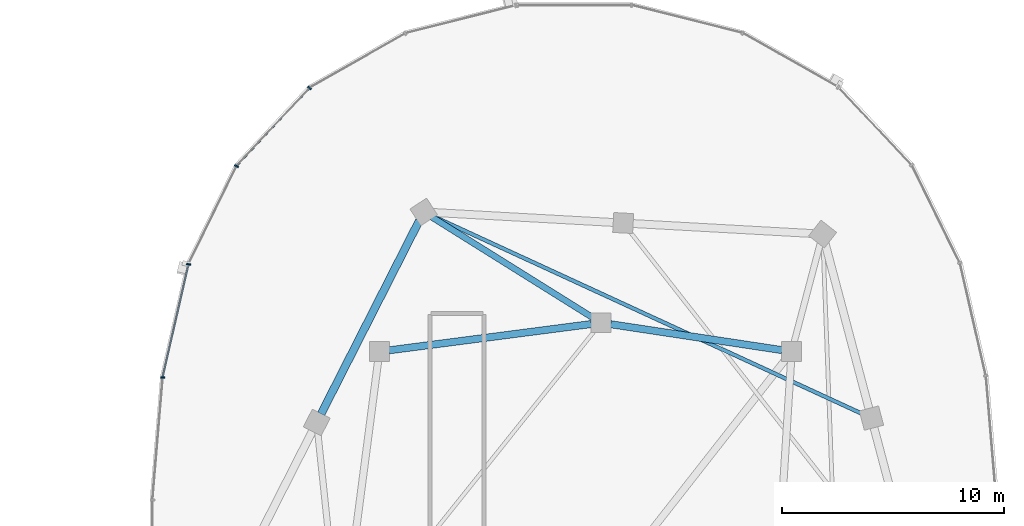
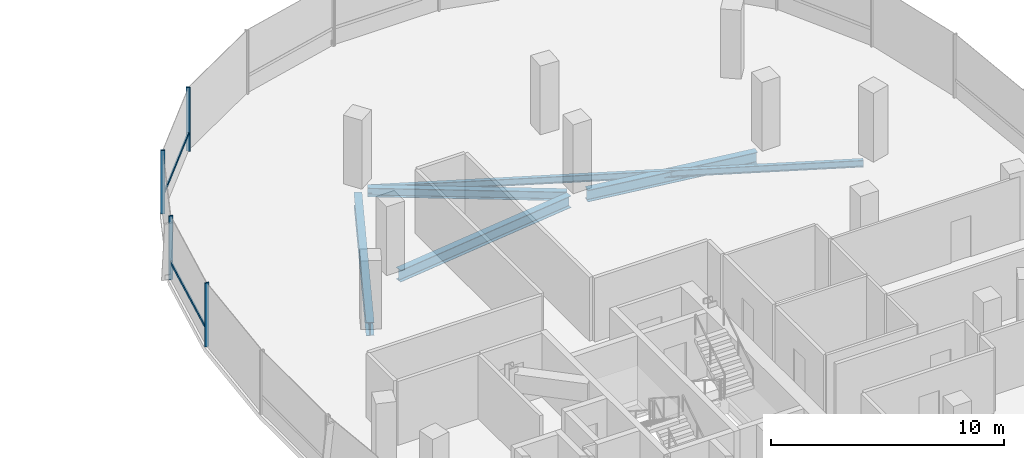
# One storey, part 11 of 25: 6 members, 5 beams, 1 element without a shape of its own.
"""IFC4 building model written with IfcOpenShell, lengths in metres."""

from ifc_helpers import new_model, si_unit, direction, frame, origin, origin_2d, place, context, subcontext, project, spatial, rectangle, i_section, extrude, material, material_profile, profile_set, type_object, element, aggregate, save


model = new_model("IFC4")

# Units and contexts
model_context = context("Model", 3, precision=1e-05, world=origin(), true_north=direction((0.0, 1.0)))
body_context = subcontext(model_context, "Body", "Model", "MODEL_VIEW")
ifc_project = project(units=[si_unit("LENGTHUNIT", "METRE"), si_unit("AREAUNIT", "SQUARE_METRE"), si_unit("VOLUMEUNIT", "CUBIC_METRE"), si_unit("PLANEANGLEUNIT", "RADIAN"), si_unit("MASSUNIT", "GRAM", prefix="KILO"), si_unit("THERMODYNAMICTEMPERATUREUNIT", "KELVIN"), si_unit("POWERUNIT", "WATT")], contexts=[model_context])

# Site, building, storey
site_placement = place(None, origin())
site = spatial("IfcSite", under=ifc_project, at=site_placement, CompositionType="ELEMENT")
building_placement = place(site_placement, origin())
building = spatial("IfcBuilding", under=site, at=building_placement, Name="Cundina Bronze Exchange", CompositionType="ELEMENT")
storey_placement = place(building_placement, frame((0.0, 0.0, 199.0)))
storey = spatial("IfcBuildingStorey", under=building, at=storey_placement, Name="L52", CompositionType="ELEMENT", Elevation=199.0)

# Beams
ifc_material_1 = material(Name="Steel ASTM A992 Grade 50", Category="steel")
ifc_material_profile_1 = material_profile(ifc_material_1, i_section(OverallWidth=0.280029296875, OverallDepth=0.462890625, WebThickness=0.0107421875, FlangeThickness=0.017333984375, FilletRadius=0.011962890625, at=origin_2d()), Name="W18X76", Category="steel")
ifc_profile_set_1 = profile_set([ifc_material_profile_1], Name="Steel ASTM A992 Grade 50")
beam_type_1 = type_object("IfcBeamType", Name="BM-FLR-W18A", PredefinedType="BEAM", material=ifc_profile_set_1)
beam_1_placement = place(storey_placement, frame((32.82861328125, 11.031982421875, -0.491455078125), z_axis=(-0.847995098703, 0.530004068452, 0.0), x_axis=(-0.530004068452, -0.847995098703, 0.0)))
element("IfcBeam", 1, at=beam_1_placement, inside=storey, type_object=beam_type_1, Name="L52 Leg E Chordal Floor Beam 12", PredefinedType="BEAM", context=body_context, shape_type="SweptSolid", body=[
    extrude(i_section(OverallWidth=0.280029296875, OverallDepth=0.462890625, WebThickness=0.0107421875, FlangeThickness=0.017333984375, FilletRadius=0.011962890625, at=origin_2d()), origin(), (0.0, 0.0, 1.0), 8.55810546875),
])
ifc_material_profile_2 = material_profile(ifc_material_1, i_section(OverallWidth=0.172119140625, OverallDepth=0.35791015625, WebThickness=0.0078125, FlangeThickness=0.01318359375, FilletRadius=0.010009765625, at=origin_2d()), Name="W14X38", Category="steel")
ifc_profile_set_2 = profile_set([ifc_material_profile_2], Name="Steel ASTM A992 Grade 50")
beam_type_2 = type_object("IfcBeamType", Name="BM-JST-W14", PredefinedType="JOIST", material=ifc_profile_set_2)
beam_2_placement = place(storey_placement, frame((45.002197265625, 6.68310546875, -0.43896484375), z_axis=(-0.908355026127, 0.418199888224, 0.0), x_axis=(-0.418199888224, -0.908355026127, 0.0)))
element("IfcBeam", 2, at=beam_2_placement, inside=storey, type_object=beam_type_2, Name="L52 Leg E Lobe Floor Joist 09-12", PredefinedType="JOIST", context=body_context, shape_type="SweptSolid", body=[
    extrude(i_section(OverallWidth=0.172119140625, OverallDepth=0.35791015625, WebThickness=0.0078125, FlangeThickness=0.01318359375, FilletRadius=0.010009765625, at=origin_2d()), origin(), (0.0, 0.0, 1.0), 21.362060546875),
])
ifc_material_profile_3 = material_profile(ifc_material_1, i_section(OverallWidth=0.324951171875, OverallDepth=0.615966796875, WebThickness=0.013916015625, FlangeThickness=0.021484375, FilletRadius=0.01611328125, at=origin_2d()), Name="W24X117", Category="steel")
ifc_profile_set_3 = profile_set([ifc_material_profile_3], Name="Steel ASTM A992 Grade 50")
beam_type_3 = type_object("IfcBeamType", Name="BM-RING-W24", PredefinedType="USERDEFINED", material=ifc_profile_set_3)
beam_3_placement = place(storey_placement, frame((41.366943359375, 9.5654296875, -0.568115234375), z_axis=(-0.988764903598, 0.149478979839, 0.0), x_axis=(-0.149478979839, -0.988764903598, 0.0)))
element("IfcBeam", 3, at=beam_3_placement, inside=storey, type_object=beam_type_3, Name="L52 E Inner Structural Ring Girder 05", ObjectType="GIRDER", PredefinedType="USERDEFINED", context=body_context, shape_type="SweptSolid", body=[
    extrude(i_section(OverallWidth=0.324951171875, OverallDepth=0.615966796875, WebThickness=0.013916015625, FlangeThickness=0.021484375, FilletRadius=0.01611328125, at=origin_2d()), origin(), (0.0, 0.0, 1.0), 7.82177734375),
])
beam_4_placement = place(storey_placement, frame((32.765625, 10.743408203125, -0.568115234375), z_axis=(-0.991656498582, -0.128908451316, 0.0), x_axis=(0.128908451316, -0.991656498582, 0.0)))
element("IfcBeam", 4, at=beam_4_placement, inside=storey, type_object=beam_type_3, Name="L52 E Inner Structural Ring Girder 06", ObjectType="GIRDER", PredefinedType="USERDEFINED", context=body_context, shape_type="SweptSolid", body=[
    extrude(i_section(OverallWidth=0.324951171875, OverallDepth=0.615966796875, WebThickness=0.013916015625, FlangeThickness=0.021484375, FilletRadius=0.01611328125, at=origin_2d()), origin(), (0.0, 0.0, 1.0), 9.208251953125),
])
ifc_material_profile_4 = material_profile(ifc_material_1, i_section(OverallWidth=0.35498046875, OverallDepth=0.695068359375, WebThickness=0.015380859375, FlangeThickness=0.02490234375, FilletRadius=0.01806640625, at=origin_2d()), Name="W27X146", Category="steel")
ifc_profile_set_4 = profile_set([ifc_material_profile_4], Name="Steel ASTM A992 Grade 50")
beam_type_4 = type_object("IfcBeamType", Name="BM-RING-W27", PredefinedType="USERDEFINED", material=ifc_profile_set_4)
beam_5_placement = place(storey_placement, frame((25.001708984375, 15.409423828125, -0.607421875), z_axis=(-0.452846871434, -0.891588308039, 0.0), x_axis=(0.891588308039, -0.452846871434, 0.0)))
element("IfcBeam", 5, at=beam_5_placement, inside=storey, type_object=beam_type_4, Name="L52 E Perimeter Ring Girder 12", ObjectType="GIRDER", PredefinedType="USERDEFINED", context=body_context, shape_type="SweptSolid", body=[
    extrude(i_section(OverallWidth=0.35498046875, OverallDepth=0.695068359375, WebThickness=0.015380859375, FlangeThickness=0.02490234375, FilletRadius=0.01806640625, at=origin_2d()), origin(), (0.0, 0.0, 1.0), 9.779052734375),
])

# Curtain wall, members
ifc_material_2 = material(Name="Anodised Bronze Aluminium 6063-T6", Category="aluminium")
curtain_wall_type = type_object("IfcCurtainWallType", Name="CWS-UPP-OFF", PredefinedType="NOTDEFINED", material=ifc_material_2)
curtain_wall_placement = place(storey_placement, origin())
curtain_wall = element("IfcCurtainWall", 6, at=curtain_wall_placement, inside=storey, type_object=curtain_wall_type, Name="L52 CW-05 Curtain Wall Run CWR-L52-E2", PredefinedType="NOTDEFINED")
ifc_material_profile_5 = material_profile(ifc_material_2, rectangle(XDim=0.070068359375, YDim=0.18994140625, at=origin_2d()), Name="AL70X190", Category="aluminium")
ifc_profile_set_5 = profile_set([ifc_material_profile_5], Name="Anodised Bronze Aluminium 6063-T6")
member_type_1 = type_object("IfcMemberType", Name="CWM-MUL-190", PredefinedType="MULLION", material=ifc_profile_set_5)
member_1_placement = place(storey_placement, frame((20.05126953125, 21.392578125, 0.0), z_axis=(0.0, 0.0, 1.0), x_axis=(-0.684292606175, -0.729207535023, 0.0)))
member_1 = element("IfcMember", 7, at=member_1_placement, type_object=member_type_1, Name="CW-05 Mullion 3", PredefinedType="MULLION", context=body_context, shape_type="SweptSolid", body=[
    extrude(rectangle(XDim=0.070068359375, YDim=0.18994140625, at=origin_2d()), origin(), (0.0, 0.0, 1.0), 3.340087890625),
])
member_2_placement = place(storey_placement, frame((16.754638671875, 17.866455078125, 0.0), z_axis=(0.0, 0.0, 1.0), x_axis=(-0.440566004113, -0.897720221461, 0.0)))
member_2 = element("IfcMember", 8, at=member_2_placement, type_object=member_type_1, Name="CW-05 Mullion 4", PredefinedType="MULLION", context=body_context, shape_type="SweptSolid", body=[
    extrude(rectangle(XDim=0.070068359375, YDim=0.18994140625, at=origin_2d()), origin(), (0.0, 0.0, 1.0), 3.340087890625),
])
member_3_placement = place(storey_placement, frame((14.59228515625, 13.440673828125, 0.0), z_axis=(0.0, 0.0, 1.0), x_axis=(-0.223250116011, -0.974761194191, 0.0)))
member_3 = element("IfcMember", 9, at=member_3_placement, type_object=member_type_1, Name="CW-05 Mullion 5", PredefinedType="MULLION", context=body_context, shape_type="SweptSolid", body=[
    extrude(rectangle(XDim=0.070068359375, YDim=0.18994140625, at=origin_2d()), origin(), (0.0, 0.0, 1.0), 3.340087890625),
])
member_4_placement = place(storey_placement, frame((13.427490234375, 8.33056640625, 0.0), z_axis=(0.0, 0.0, 1.0), x_axis=(-0.083677843332, -0.99649285925, 0.0)))
member_4 = element("IfcMember", 10, at=member_4_placement, type_object=member_type_1, Name="CW-05 Mullion 6", PredefinedType="MULLION", context=body_context, shape_type="SweptSolid", body=[
    extrude(rectangle(XDim=0.070068359375, YDim=0.18994140625, at=origin_2d()), origin(), (0.0, 0.0, 1.0), 3.340087890625),
])
ifc_material_profile_6 = material_profile(ifc_material_2, rectangle(XDim=0.06494140625, YDim=0.14990234375, at=origin_2d()), Name="AL65X150", Category="aluminium")
ifc_profile_set_6 = profile_set([ifc_material_profile_6], Name="Anodised Bronze Aluminium 6063-T6")
member_type_2 = type_object("IfcMemberType", Name="CWM-TRN-150", PredefinedType="USERDEFINED", material=ifc_profile_set_6)
member_5_placement = place(storey_placement, frame((20.02490234375, 21.364501953125, 0.919921875), z_axis=(-0.684336416554, -0.729166420633, 0.0), x_axis=(0.729166420633, -0.684336416554, 0.0)))
member_5 = element("IfcMember", 11, at=member_5_placement, type_object=member_type_2, Name="CW-05 Spandrel Transom 3", ObjectType="TRANSOM", PredefinedType="USERDEFINED", context=body_context, shape_type="SweptSolid", body=[
    extrude(rectangle(XDim=0.06494140625, YDim=0.14990234375, at=origin_2d()), origin(), (0.0, 0.0, 1.0), 4.76513671875),
])
member_6_placement = place(storey_placement, frame((14.58349609375, 13.403076171875, 0.919921875), z_axis=(-0.22328343579, -0.974753562344, 0.0), x_axis=(0.974753562344, -0.22328343579, 0.0)))
member_6 = element("IfcMember", 12, at=member_6_placement, type_object=member_type_2, Name="CW-05 Spandrel Transom 5", ObjectType="TRANSOM", PredefinedType="USERDEFINED", context=body_context, shape_type="SweptSolid", body=[
    extrude(rectangle(XDim=0.06494140625, YDim=0.14990234375, at=origin_2d()), origin(), (0.0, 0.0, 1.0), 5.159912109375),
])
aggregate(curtain_wall, [member_1, member_5, member_2, member_3, member_6, member_4])

save(model, "model.ifc")
